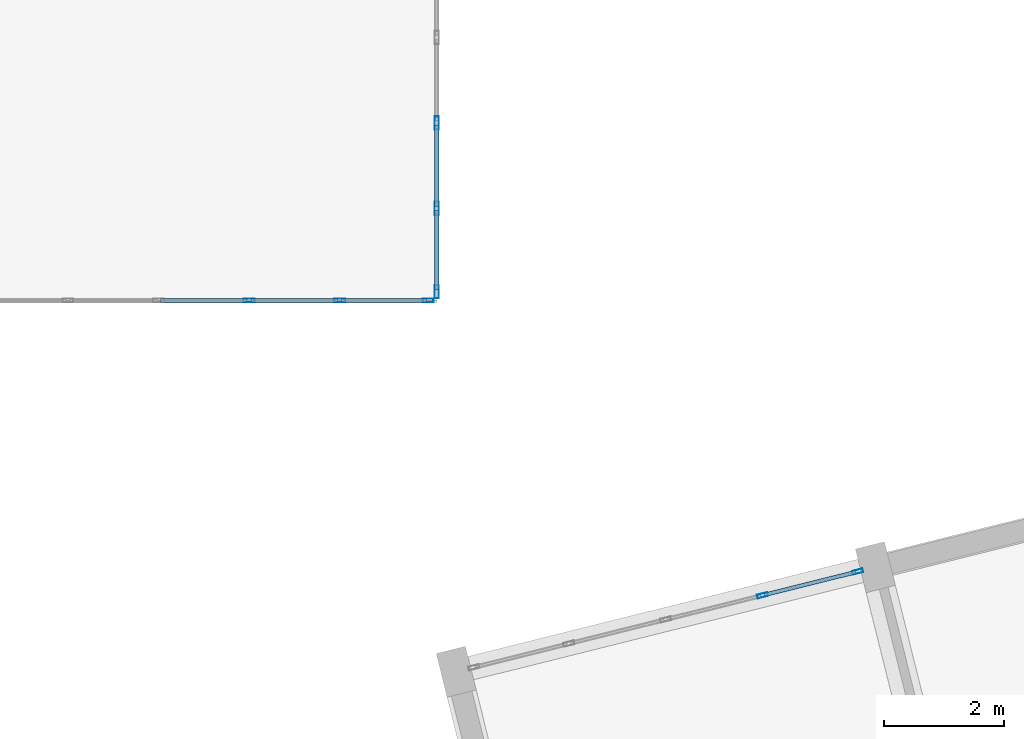
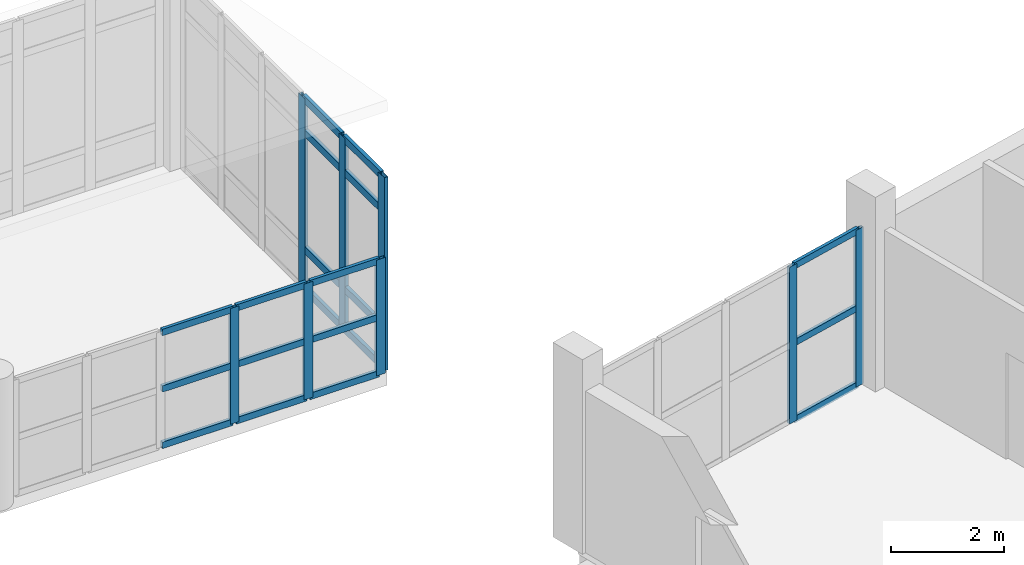
# One storey, part 59 of 164: 28 members, 3 elements without a shape of their own.
"""IFC4 building model written with IfcOpenShell, lengths in metres."""

from ifc_helpers import new_model, si_unit, direction, frame, origin, origin_2d, place, context, subcontext, project, spatial, hollow_rectangle, extrude, material, layer, layer_set, material_profile, profile_set, type_object, element, aggregate, save


model = new_model("IFC4")

# Units and contexts
model_context = context("Model", 3, precision=1e-05, world=origin(), true_north=direction((0.0, 1.0)))
body_context = subcontext(model_context, "Body", "Model", "MODEL_VIEW")
ifc_project = project(units=[si_unit("LENGTHUNIT", "METRE"), si_unit("AREAUNIT", "SQUARE_METRE"), si_unit("VOLUMEUNIT", "CUBIC_METRE"), si_unit("PLANEANGLEUNIT", "RADIAN"), si_unit("MASSUNIT", "GRAM", prefix="KILO")], contexts=[model_context])

# Site, building, storey
site_placement = place(None, origin())
site = spatial("IfcSite", under=ifc_project, at=site_placement, CompositionType="ELEMENT")
building_placement = place(site_placement, origin())
building = spatial("IfcBuilding", under=site, at=building_placement, Name="Mawjan Specialist Oncology Clinic", CompositionType="ELEMENT")
storey_placement = place(building_placement, frame((0.0, 0.0, 5.0)))
storey = spatial("IfcBuildingStorey", under=building, at=storey_placement, Name="L01", CompositionType="ELEMENT", Elevation=5.0)

# Curtain wall, members
ifc_material_1 = material(Name="Unitised spectrally selective aluminium curtain wall", Category="aluminium")
ifc_layer_1 = layer(ifc_material_1, 0.179931640625, Name="Unitised spectrally selective aluminium curtain wall", Category="aluminium")
ifc_layer_set_1 = layer_set([ifc_layer_1], Name="Unitised spectrally selective aluminium curtain wall")
curtain_wall_type_1 = type_object("IfcCurtainWallType", Name="CW-48", PredefinedType="NOTDEFINED", material=ifc_layer_set_1)
curtain_wall_1_placement = place(storey_placement, origin())
curtain_wall_1 = element("IfcCurtainWall", 1, at=curtain_wall_1_placement, inside=storey, type_object=curtain_wall_type_1, Name="L01 Unitised Curtain Wall CW-L01-092", PredefinedType="NOTDEFINED")
ifc_material_2 = material(Name="Thermally broken aluminium 6063-T6", Category="aluminium")
ifc_material_profile_1 = material_profile(ifc_material_2, hollow_rectangle(XDim=0.06494140625, YDim=0.179931640625, WallThickness=0.00390625, at=origin_2d()), Name="ALU MULLION 180x65x4", Category="aluminium")
ifc_profile_set_1 = profile_set([ifc_material_profile_1], Name="Thermally broken aluminium 6063-T6")
member_type_1 = type_object("IfcMemberType", Name="CW-M180", PredefinedType="MULLION", material=ifc_profile_set_1)
member_1_placement = place(storey_placement, frame((121.431640625, 40.885498046875, 0.0), z_axis=(0.0, 0.0, 1.0), x_axis=(-0.241922080664, 0.970295680134, 0.0)))
member_1 = element("IfcMember", 2, at=member_1_placement, type_object=member_type_1, Name="CW-48 mullion 4", PredefinedType="MULLION", context=body_context, shape_type="SweptSolid", body=[
    extrude(hollow_rectangle(XDim=0.06494140625, YDim=0.179931640625, WallThickness=0.00390625, at=origin_2d()), origin(), (0.0, 0.0, 1.0), 3.385009765625),
])
member_2_placement = place(storey_placement, frame((123.015625, 41.280517578125, 0.0), z_axis=(0.0, 0.0, 1.0), x_axis=(-0.241922080664, 0.970295680134, 0.0)))
member_2 = element("IfcMember", 3, at=member_2_placement, type_object=member_type_1, Name="CW-48 mullion 5", PredefinedType="MULLION", context=body_context, shape_type="SweptSolid", body=[
    extrude(hollow_rectangle(XDim=0.06494140625, YDim=0.179931640625, WallThickness=0.00390625, at=origin_2d()), origin(), (0.0, 0.0, 1.0), 3.385009765625),
])

ifc_material_3 = material(Name="Unitised spectrally selective aluminium curtain wall", Category="aluminium")
ifc_layer_2 = layer(ifc_material_3, 0.179931640625, Name="Unitised spectrally selective aluminium curtain wall", Category="aluminium")
ifc_layer_set_2 = layer_set([ifc_layer_2], Name="Unitised spectrally selective aluminium curtain wall")
curtain_wall_type_2 = type_object("IfcCurtainWallType", Name="CW-69", PredefinedType="NOTDEFINED", material=ifc_layer_set_2)
curtain_wall_2_placement = place(storey_placement, origin())
curtain_wall_2 = element("IfcCurtainWall", 4, at=curtain_wall_2_placement, inside=storey, type_object=curtain_wall_type_2, Name="L01 Unitised Curtain Wall CW-L01-137", PredefinedType="NOTDEFINED")
member_3_placement = place(storey_placement, frame((115.857421875, 45.800048828125, 0.0), z_axis=(0.0, 0.0, 1.0), x_axis=(0.0, -1.0, 0.0)))
member_3 = element("IfcMember", 5, at=member_3_placement, type_object=member_type_1, Name="CW-69 mullion 1", PredefinedType="MULLION", context=body_context, shape_type="SweptSolid", body=[
    extrude(hollow_rectangle(XDim=0.06494140625, YDim=0.179931640625, WallThickness=0.00390625, at=origin_2d()), origin(), (0.0, 0.0, 1.0), 2.5),
])
member_4_placement = place(storey_placement, frame((114.381103515625, 45.800048828125, 0.0), z_axis=(0.0, 0.0, 1.0), x_axis=(0.0, -1.0, 0.0)))
member_4 = element("IfcMember", 6, at=member_4_placement, type_object=member_type_1, Name="CW-69 mullion 2", PredefinedType="MULLION", context=body_context, shape_type="SweptSolid", body=[
    extrude(hollow_rectangle(XDim=0.06494140625, YDim=0.179931640625, WallThickness=0.00390625, at=origin_2d()), origin(), (0.0, 0.0, 1.0), 2.5),
])
member_5_placement = place(storey_placement, frame((112.8720703125, 45.800048828125, 0.0), z_axis=(0.0, 0.0, 1.0), x_axis=(0.0, -1.0, 0.0)))
member_5 = element("IfcMember", 7, at=member_5_placement, type_object=member_type_1, Name="CW-69 mullion 3", PredefinedType="MULLION", context=body_context, shape_type="SweptSolid", body=[
    extrude(hollow_rectangle(XDim=0.06494140625, YDim=0.179931640625, WallThickness=0.00390625, at=origin_2d()), origin(), (0.0, 0.0, 1.0), 2.5),
])

ifc_material_4 = material(Name="Unitised spectrally selective aluminium curtain wall", Category="aluminium")
ifc_layer_3 = layer(ifc_material_4, 0.179931640625, Name="Unitised spectrally selective aluminium curtain wall", Category="aluminium")
ifc_layer_set_3 = layer_set([ifc_layer_3], Name="Unitised spectrally selective aluminium curtain wall")
curtain_wall_type_3 = type_object("IfcCurtainWallType", Name="CW-68", PredefinedType="NOTDEFINED", material=ifc_layer_set_3)
curtain_wall_3_placement = place(storey_placement, origin())
curtain_wall_3 = element("IfcCurtainWall", 8, at=curtain_wall_3_placement, inside=storey, type_object=curtain_wall_type_3, Name="L01 Unitised Curtain Wall CW-L01-136", PredefinedType="NOTDEFINED")
ifc_material_5 = material(Name="Thermally broken aluminium 6063-T6", Category="aluminium")
ifc_material_profile_2 = material_profile(ifc_material_5, hollow_rectangle(XDim=0.070068359375, YDim=0.219970703125, WallThickness=0.00390625, at=origin_2d()), Name="ALU MULLION 220x70x4", Category="aluminium")
ifc_profile_set_2 = profile_set([ifc_material_profile_2], Name="Thermally broken aluminium 6063-T6")
member_type_2 = type_object("IfcMemberType", Name="CW-M220", PredefinedType="MULLION", material=ifc_profile_set_2)
member_6_placement = place(storey_placement, frame((116.0, 48.758056640625, 0.0), z_axis=(0.0, 0.0, 1.0), x_axis=(1.0, 0.0, 0.0)))
member_6 = element("IfcMember", 9, at=member_6_placement, type_object=member_type_2, Name="CW-68 mullion 4", PredefinedType="MULLION", context=body_context, shape_type="SweptSolid", body=[
    extrude(hollow_rectangle(XDim=0.070068359375, YDim=0.219970703125, WallThickness=0.00390625, at=origin_2d()), origin(), (0.0, 0.0, 1.0), 4.169921875),
])
member_7_placement = place(storey_placement, frame((116.0, 47.333984375, 0.0), z_axis=(0.0, 0.0, 1.0), x_axis=(1.0, 0.0, 0.0)))
member_7 = element("IfcMember", 10, at=member_7_placement, type_object=member_type_2, Name="CW-68 mullion 5", PredefinedType="MULLION", context=body_context, shape_type="SweptSolid", body=[
    extrude(hollow_rectangle(XDim=0.070068359375, YDim=0.219970703125, WallThickness=0.00390625, at=origin_2d()), origin(), (0.0, 0.0, 1.0), 4.169921875),
])
member_8_placement = place(storey_placement, frame((116.0, 45.945068359375, 0.0), z_axis=(0.0, 0.0, 1.0), x_axis=(1.0, 0.0, 0.0)))
member_8 = element("IfcMember", 11, at=member_8_placement, type_object=member_type_2, Name="CW-68 mullion 6", PredefinedType="MULLION", context=body_context, shape_type="SweptSolid", body=[
    extrude(hollow_rectangle(XDim=0.070068359375, YDim=0.219970703125, WallThickness=0.00390625, at=origin_2d()), origin(), (0.0, 0.0, 1.0), 4.169921875),
])

# Member
ifc_material_6 = material(Name="Thermally broken aluminium 6063-T6", Category="aluminium")
ifc_material_profile_3 = material_profile(ifc_material_6, hollow_rectangle(XDim=0.06494140625, YDim=0.139892578125, WallThickness=0.00390625, at=origin_2d()), Name="ALU TRANSOM 140x65x4", Category="aluminium")
ifc_profile_set_3 = profile_set([ifc_material_profile_3], Name="Thermally broken aluminium 6063-T6")
member_type_3 = type_object("IfcMemberType", Name="CW-T140", PredefinedType="USERDEFINED", material=ifc_profile_set_3)
member_9_placement = place(storey_placement, frame((121.46337890625, 40.893310546875, 0.032470703125), z_axis=(0.970261497719, 0.242059137495, 0.0), x_axis=(-0.242059137495, 0.970261497719, 0.0)))
member_9 = element("IfcMember", 12, at=member_9_placement, type_object=member_type_3, Name="CW-48 transom 4.1", ObjectType="TRANSOM", PredefinedType="USERDEFINED", context=body_context, shape_type="SweptSolid", body=[
    extrude(hollow_rectangle(XDim=0.06494140625, YDim=0.139892578125, WallThickness=0.00390625, at=origin_2d()), origin(), (0.0, 0.0, 1.0), 1.5673828125),
])

member_10_placement = place(storey_placement, frame((121.46337890625, 40.893310546875, 1.6923828125), z_axis=(0.970261497719, 0.242059137495, 0.0), x_axis=(-0.242059137495, 0.970261497719, 0.0)))
member_10 = element("IfcMember", 13, at=member_10_placement, type_object=member_type_3, Name="CW-48 transom 4.2", ObjectType="TRANSOM", PredefinedType="USERDEFINED", context=body_context, shape_type="SweptSolid", body=[
    extrude(hollow_rectangle(XDim=0.06494140625, YDim=0.139892578125, WallThickness=0.00390625, at=origin_2d()), origin(), (0.0, 0.0, 1.0), 1.5673828125),
])

member_11_placement = place(storey_placement, frame((121.46337890625, 40.893310546875, 3.3525390625), z_axis=(0.970261497719, 0.242059137495, 0.0), x_axis=(-0.242059137495, 0.970261497719, 0.0)))
member_11 = element("IfcMember", 14, at=member_11_placement, type_object=member_type_3, Name="CW-48 transom 4.3", ObjectType="TRANSOM", PredefinedType="USERDEFINED", context=body_context, shape_type="SweptSolid", body=[
    extrude(hollow_rectangle(XDim=0.06494140625, YDim=0.139892578125, WallThickness=0.00390625, at=origin_2d()), origin(), (0.0, 0.0, 1.0), 1.5673828125),
])

aggregate(curtain_wall_1, [member_1, member_2, member_9, member_10, member_11])

member_12_placement = place(storey_placement, frame((115.824951171875, 45.800048828125, 0.032470703125), z_axis=(-1.0, 0.0, 0.0), x_axis=(0.0, -1.0, 0.0)))
member_12 = element("IfcMember", 15, at=member_12_placement, type_object=member_type_3, Name="CW-69 transom 1.1", ObjectType="TRANSOM", PredefinedType="USERDEFINED", context=body_context, shape_type="SweptSolid", body=[
    extrude(hollow_rectangle(XDim=0.06494140625, YDim=0.139892578125, WallThickness=0.00390625, at=origin_2d()), origin(), (0.0, 0.0, 1.0), 1.411376953125),
])

member_13_placement = place(storey_placement, frame((115.824951171875, 45.800048828125, 1.25), z_axis=(-1.0, 0.0, 0.0), x_axis=(0.0, -1.0, 0.0)))
member_13 = element("IfcMember", 16, at=member_13_placement, type_object=member_type_3, Name="CW-69 transom 1.2", ObjectType="TRANSOM", PredefinedType="USERDEFINED", context=body_context, shape_type="SweptSolid", body=[
    extrude(hollow_rectangle(XDim=0.06494140625, YDim=0.139892578125, WallThickness=0.00390625, at=origin_2d()), origin(), (0.0, 0.0, 1.0), 1.411376953125),
])

member_14_placement = place(storey_placement, frame((115.824951171875, 45.800048828125, 2.467529296875), z_axis=(-1.0, 0.0, 0.0), x_axis=(0.0, -1.0, 0.0)))
member_14 = element("IfcMember", 17, at=member_14_placement, type_object=member_type_3, Name="CW-69 transom 1.3", ObjectType="TRANSOM", PredefinedType="USERDEFINED", context=body_context, shape_type="SweptSolid", body=[
    extrude(hollow_rectangle(XDim=0.06494140625, YDim=0.139892578125, WallThickness=0.00390625, at=origin_2d()), origin(), (0.0, 0.0, 1.0), 1.411376953125),
])

member_15_placement = place(storey_placement, frame((114.348388671875, 45.800048828125, 0.032470703125), z_axis=(-1.0, 0.0, 0.0), x_axis=(0.0, -1.0, 0.0)))
member_15 = element("IfcMember", 18, at=member_15_placement, type_object=member_type_3, Name="CW-69 transom 2.1", ObjectType="TRANSOM", PredefinedType="USERDEFINED", context=body_context, shape_type="SweptSolid", body=[
    extrude(hollow_rectangle(XDim=0.06494140625, YDim=0.139892578125, WallThickness=0.00390625, at=origin_2d()), origin(), (0.0, 0.0, 1.0), 1.44384765625),
])

member_16_placement = place(storey_placement, frame((114.348388671875, 45.800048828125, 1.25), z_axis=(-1.0, 0.0, 0.0), x_axis=(0.0, -1.0, 0.0)))
member_16 = element("IfcMember", 19, at=member_16_placement, type_object=member_type_3, Name="CW-69 transom 2.2", ObjectType="TRANSOM", PredefinedType="USERDEFINED", context=body_context, shape_type="SweptSolid", body=[
    extrude(hollow_rectangle(XDim=0.06494140625, YDim=0.139892578125, WallThickness=0.00390625, at=origin_2d()), origin(), (0.0, 0.0, 1.0), 1.44384765625),
])

member_17_placement = place(storey_placement, frame((114.348388671875, 45.800048828125, 2.467529296875), z_axis=(-1.0, 0.0, 0.0), x_axis=(0.0, -1.0, 0.0)))
member_17 = element("IfcMember", 20, at=member_17_placement, type_object=member_type_3, Name="CW-69 transom 2.3", ObjectType="TRANSOM", PredefinedType="USERDEFINED", context=body_context, shape_type="SweptSolid", body=[
    extrude(hollow_rectangle(XDim=0.06494140625, YDim=0.139892578125, WallThickness=0.00390625, at=origin_2d()), origin(), (0.0, 0.0, 1.0), 1.44384765625),
])

member_18_placement = place(storey_placement, frame((112.839599609375, 45.800048828125, 0.032470703125), z_axis=(-1.0, 0.0, 0.0), x_axis=(0.0, -1.0, 0.0)))
member_18 = element("IfcMember", 21, at=member_18_placement, type_object=member_type_3, Name="CW-69 transom 3.1", ObjectType="TRANSOM", PredefinedType="USERDEFINED", context=body_context, shape_type="SweptSolid", body=[
    extrude(hollow_rectangle(XDim=0.06494140625, YDim=0.139892578125, WallThickness=0.00390625, at=origin_2d()), origin(), (0.0, 0.0, 1.0), 1.444091796875),
])

member_19_placement = place(storey_placement, frame((112.839599609375, 45.800048828125, 1.25), z_axis=(-1.0, 0.0, 0.0), x_axis=(0.0, -1.0, 0.0)))
member_19 = element("IfcMember", 22, at=member_19_placement, type_object=member_type_3, Name="CW-69 transom 3.2", ObjectType="TRANSOM", PredefinedType="USERDEFINED", context=body_context, shape_type="SweptSolid", body=[
    extrude(hollow_rectangle(XDim=0.06494140625, YDim=0.139892578125, WallThickness=0.00390625, at=origin_2d()), origin(), (0.0, 0.0, 1.0), 1.444091796875),
])

member_20_placement = place(storey_placement, frame((112.839599609375, 45.800048828125, 2.467529296875), z_axis=(-1.0, 0.0, 0.0), x_axis=(0.0, -1.0, 0.0)))
member_20 = element("IfcMember", 23, at=member_20_placement, type_object=member_type_3, Name="CW-69 transom 3.3", ObjectType="TRANSOM", PredefinedType="USERDEFINED", context=body_context, shape_type="SweptSolid", body=[
    extrude(hollow_rectangle(XDim=0.06494140625, YDim=0.139892578125, WallThickness=0.00390625, at=origin_2d()), origin(), (0.0, 0.0, 1.0), 1.444091796875),
])

aggregate(curtain_wall_2, [member_3, member_4, member_5, member_12, member_13, member_14, member_15, member_16, member_17, member_18, member_19, member_20])

ifc_material_7 = material(Name="Thermally broken aluminium 6063-T6", Category="aluminium")
ifc_material_profile_4 = material_profile(ifc_material_7, hollow_rectangle(XDim=0.070068359375, YDim=0.159912109375, WallThickness=0.00390625, at=origin_2d()), Name="ALU TRANSOM 160x70x4", Category="aluminium")
ifc_profile_set_4 = profile_set([ifc_material_profile_4], Name="Thermally broken aluminium 6063-T6")
member_type_4 = type_object("IfcMemberType", Name="CW-T160", PredefinedType="USERDEFINED", material=ifc_profile_set_4)
member_21_placement = place(storey_placement, frame((116.0, 48.722900390625, 0.034912109375), z_axis=(0.0, -1.0, 0.0), x_axis=(1.0, 0.0, 0.0)))
member_21 = element("IfcMember", 24, at=member_21_placement, type_object=member_type_4, Name="CW-68 transom 4.1", ObjectType="TRANSOM", PredefinedType="USERDEFINED", context=body_context, shape_type="SweptSolid", body=[
    extrude(hollow_rectangle(XDim=0.070068359375, YDim=0.159912109375, WallThickness=0.00390625, at=origin_2d()), origin(), (0.0, 0.0, 1.0), 1.35400390625),
])

member_22_placement = place(storey_placement, frame((116.0, 48.722900390625, 0.89990234375), z_axis=(0.0, -1.0, 0.0), x_axis=(1.0, 0.0, 0.0)))
member_22 = element("IfcMember", 25, at=member_22_placement, type_object=member_type_4, Name="CW-68 transom 4.2", ObjectType="TRANSOM", PredefinedType="USERDEFINED", context=body_context, shape_type="SweptSolid", body=[
    extrude(hollow_rectangle(XDim=0.070068359375, YDim=0.159912109375, WallThickness=0.00390625, at=origin_2d()), origin(), (0.0, 0.0, 1.0), 1.35400390625),
])

member_23_placement = place(storey_placement, frame((116.0, 48.722900390625, 3.419921875), z_axis=(0.0, -1.0, 0.0), x_axis=(1.0, 0.0, 0.0)))
member_23 = element("IfcMember", 26, at=member_23_placement, type_object=member_type_4, Name="CW-68 transom 4.3", ObjectType="TRANSOM", PredefinedType="USERDEFINED", context=body_context, shape_type="SweptSolid", body=[
    extrude(hollow_rectangle(XDim=0.070068359375, YDim=0.159912109375, WallThickness=0.00390625, at=origin_2d()), origin(), (0.0, 0.0, 1.0), 1.35400390625),
])

member_24_placement = place(storey_placement, frame((116.0, 48.722900390625, 4.135009765625), z_axis=(0.0, -1.0, 0.0), x_axis=(1.0, 0.0, 0.0)))
member_24 = element("IfcMember", 27, at=member_24_placement, type_object=member_type_4, Name="CW-68 transom 4.4", ObjectType="TRANSOM", PredefinedType="USERDEFINED", context=body_context, shape_type="SweptSolid", body=[
    extrude(hollow_rectangle(XDim=0.070068359375, YDim=0.159912109375, WallThickness=0.00390625, at=origin_2d()), origin(), (0.0, 0.0, 1.0), 1.35400390625),
])

member_25_placement = place(storey_placement, frame((116.0, 47.299072265625, 0.034912109375), z_axis=(0.0, -1.0, 0.0), x_axis=(1.0, 0.0, 0.0)))
member_25 = element("IfcMember", 28, at=member_25_placement, type_object=member_type_4, Name="CW-68 transom 5.1", ObjectType="TRANSOM", PredefinedType="USERDEFINED", context=body_context, shape_type="SweptSolid", body=[
    extrude(hollow_rectangle(XDim=0.070068359375, YDim=0.159912109375, WallThickness=0.00390625, at=origin_2d()), origin(), (0.0, 0.0, 1.0), 1.319091796875),
])

member_26_placement = place(storey_placement, frame((116.0, 47.299072265625, 0.89990234375), z_axis=(0.0, -1.0, 0.0), x_axis=(1.0, 0.0, 0.0)))
member_26 = element("IfcMember", 29, at=member_26_placement, type_object=member_type_4, Name="CW-68 transom 5.2", ObjectType="TRANSOM", PredefinedType="USERDEFINED", context=body_context, shape_type="SweptSolid", body=[
    extrude(hollow_rectangle(XDim=0.070068359375, YDim=0.159912109375, WallThickness=0.00390625, at=origin_2d()), origin(), (0.0, 0.0, 1.0), 1.319091796875),
])

member_27_placement = place(storey_placement, frame((116.0, 47.299072265625, 3.419921875), z_axis=(0.0, -1.0, 0.0), x_axis=(1.0, 0.0, 0.0)))
member_27 = element("IfcMember", 30, at=member_27_placement, type_object=member_type_4, Name="CW-68 transom 5.3", ObjectType="TRANSOM", PredefinedType="USERDEFINED", context=body_context, shape_type="SweptSolid", body=[
    extrude(hollow_rectangle(XDim=0.070068359375, YDim=0.159912109375, WallThickness=0.00390625, at=origin_2d()), origin(), (0.0, 0.0, 1.0), 1.319091796875),
])

member_28_placement = place(storey_placement, frame((116.0, 47.299072265625, 4.135009765625), z_axis=(0.0, -1.0, 0.0), x_axis=(1.0, 0.0, 0.0)))
member_28 = element("IfcMember", 31, at=member_28_placement, type_object=member_type_4, Name="CW-68 transom 5.4", ObjectType="TRANSOM", PredefinedType="USERDEFINED", context=body_context, shape_type="SweptSolid", body=[
    extrude(hollow_rectangle(XDim=0.070068359375, YDim=0.159912109375, WallThickness=0.00390625, at=origin_2d()), origin(), (0.0, 0.0, 1.0), 1.319091796875),
])

aggregate(curtain_wall_3, [member_6, member_7, member_8, member_21, member_22, member_23, member_24, member_25, member_26, member_27, member_28])

save(model, "model.ifc")
